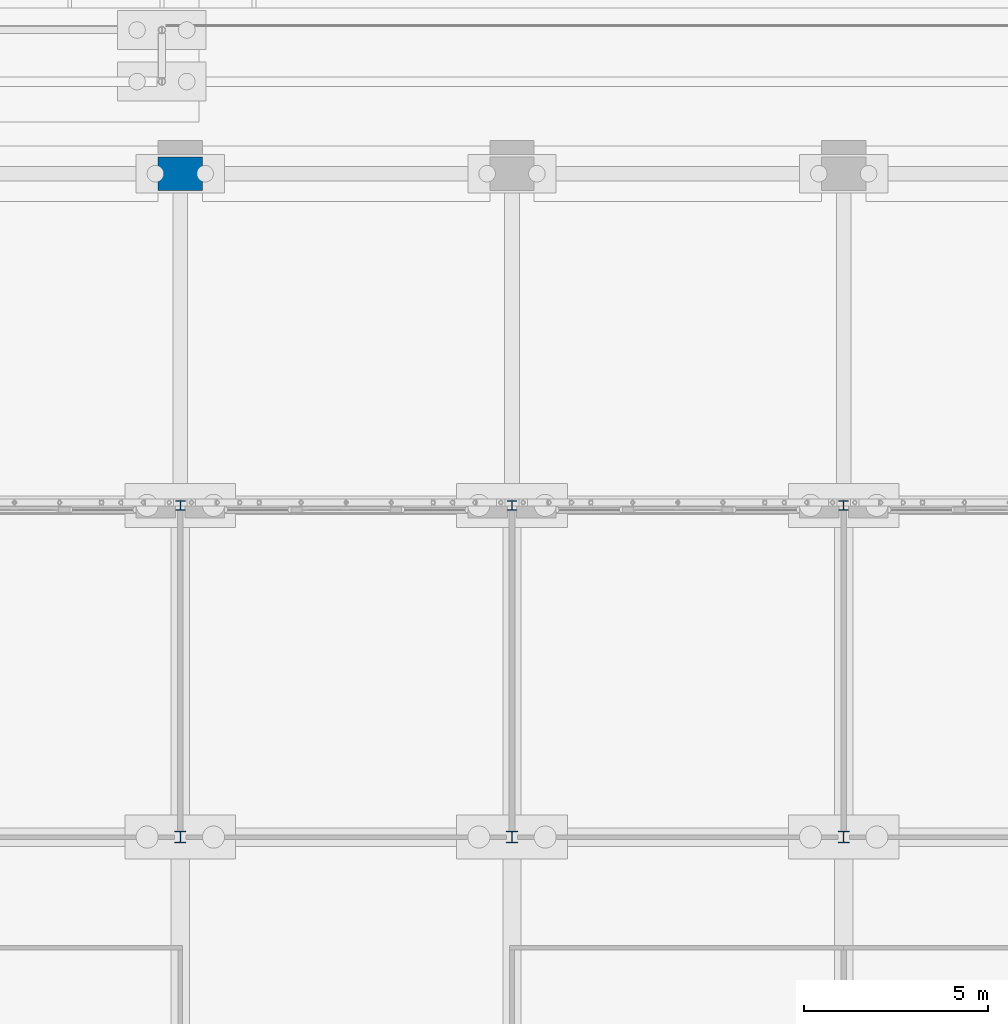
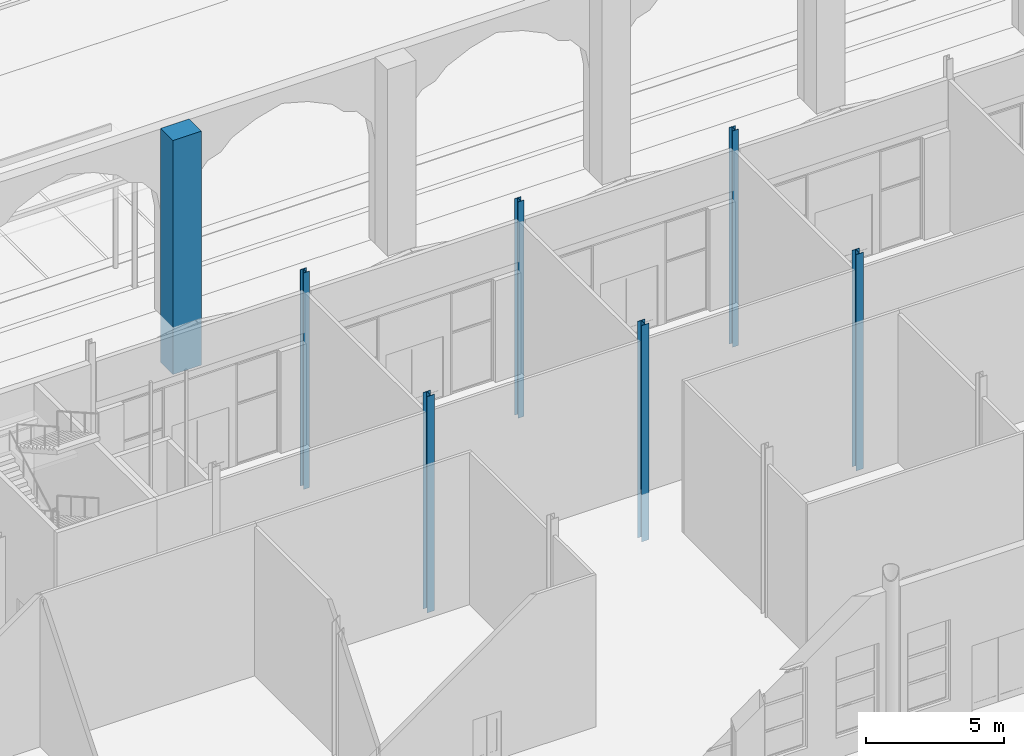
# One storey, part 31 of 250: 7 columns.
"""IFC4 building model written with IfcOpenShell, lengths in metres."""

from ifc_helpers import new_model, si_unit, direction, frame, origin, origin_2d, place, context, subcontext, project, spatial, rectangle, i_section, extrude, material, material_profile, profile_set, type_object, element, save


model = new_model("IFC4")

# Units and contexts
model_context = context("Model", 3, precision=1e-05, world=origin(), true_north=direction((0.0, 1.0)))
body_context = subcontext(model_context, "Body", "Model", "MODEL_VIEW")
ifc_project = project(units=[si_unit("LENGTHUNIT", "METRE"), si_unit("AREAUNIT", "SQUARE_METRE"), si_unit("VOLUMEUNIT", "CUBIC_METRE"), si_unit("PLANEANGLEUNIT", "RADIAN"), si_unit("MASSUNIT", "GRAM", prefix="KILO")], contexts=[model_context])

# Site, building, storey
site_placement = place(None, origin())
site = spatial("IfcSite", under=ifc_project, at=site_placement, CompositionType="ELEMENT")
building_placement = place(site_placement, origin())
building = spatial("IfcBuilding", under=site, at=building_placement, Name="Baradari Gate Terminus", CompositionType="ELEMENT")
storey_placement = place(building_placement, origin())
storey = spatial("IfcBuildingStorey", under=building, at=storey_placement, Name="L00", CompositionType="ELEMENT", Elevation=0.0)

# Columns
ifc_material_1 = material(Name="Concrete C40/50", Category="concrete")
ifc_material_profile_1 = material_profile(ifc_material_1, rectangle(XDim=1.199951171875, YDim=0.89990234375, at=origin_2d()), Name="RC1200X900")
ifc_profile_set_1 = profile_set([ifc_material_profile_1], Name="Concrete C40/50")
column_type_1 = type_object("IfcColumnType", Name="Arcade pier AP01 RC1200X900", PredefinedType="COLUMN", material=ifc_profile_set_1)
column_placement = place(storey_placement, frame((198.0, 117.0, -2.10009765625), z_axis=(0.0, 0.0, 1.0), x_axis=(1.0, 0.0, 0.0)))
element("IfcColumn", 1, at=column_placement, inside=storey, type_object=column_type_1, Name="AP01 column 23-P L00", PredefinedType="COLUMN", context=body_context, shape_type="SweptSolid", body=[
    extrude(rectangle(XDim=1.199951171875, YDim=0.89990234375, at=origin_2d()), origin(), (0.0, 0.0, 1.0), 10.380126953125),
])
ifc_material_2 = material(Name="Steel S355", Category="steel")
ifc_material_profile_2 = material_profile(ifc_material_2, i_section(OverallWidth=0.307373046875, OverallDepth=0.314453125, WebThickness=0.011962890625, FlangeThickness=0.018798828125, FilletRadius=0.01513671875, at=origin_2d()), Name="UC 305x305x118")
ifc_profile_set_2 = profile_set([ifc_material_profile_2], Name="Steel S355")
column_type_2 = type_object("IfcColumnType", Name="Head-house column C07 UC 305x305x118", PredefinedType="COLUMN", material=ifc_profile_set_2)
for number, where, z_axis, x_axis, name in (
    (2, (198.0, 99.0, -2.10009765625), (0.0, 0.0, 1.0), (1.0, 0.0, 0.0), "C07 column 23-M L00"),
    (3, (207.0, 99.0, -2.10009765625), (0.0, 0.0, 1.0), (1.0, 0.0, 0.0), "C07 column 24-M L00"),
    (4, (216.0, 99.0, -2.10009765625), (0.0, 0.0, 1.0), (1.0, 0.0, 0.0), "C07 column 25-M L00"),
):
    element("IfcColumn", number, at=place(storey_placement, frame(where, z_axis=z_axis, x_axis=x_axis)), inside=storey, type_object=column_type_2, Name=name, PredefinedType="COLUMN", context=body_context, shape_type="SweptSolid", body=[
        extrude(i_section(OverallWidth=0.307373046875, OverallDepth=0.314453125, WebThickness=0.011962890625, FlangeThickness=0.018798828125, FilletRadius=0.01513671875, at=origin_2d()), origin(), (0.0, 0.0, 1.0), 9.60009765625),
    ])
ifc_material_3 = material(Name="Steel S355", Category="steel")
ifc_material_profile_3 = material_profile(ifc_material_3, i_section(OverallWidth=0.25634765625, OverallDepth=0.26025390625, WebThickness=0.01025390625, FlangeThickness=0.017333984375, FilletRadius=0.0126953125, at=origin_2d()), Name="UC 254x254x89")
ifc_profile_set_3 = profile_set([ifc_material_profile_3], Name="Steel S355")
column_type_3 = type_object("IfcColumnType", Name="Head-house facade column C08 UC 254x254x89", PredefinedType="COLUMN", material=ifc_profile_set_3)
for number, where, z_axis, x_axis, name in (
    (5, (198.0, 108.0, -2.10009765625), (0.0, 0.0, 1.0), (1.0, 0.0, 0.0), "C08 column 23-N L00"),
    (6, (207.0, 108.0, -2.10009765625), (0.0, 0.0, 1.0), (1.0, 0.0, 0.0), "C08 column 24-N L00"),
    (7, (216.0, 108.0, -2.10009765625), (0.0, 0.0, 1.0), (1.0, 0.0, 0.0), "C08 column 25-N L00"),
):
    element("IfcColumn", number, at=place(storey_placement, frame(where, z_axis=z_axis, x_axis=x_axis)), inside=storey, type_object=column_type_3, Name=name, PredefinedType="COLUMN", context=body_context, shape_type="SweptSolid", body=[
        extrude(i_section(OverallWidth=0.25634765625, OverallDepth=0.26025390625, WebThickness=0.01025390625, FlangeThickness=0.017333984375, FilletRadius=0.0126953125, at=origin_2d()), origin(), (0.0, 0.0, 1.0), 9.60009765625),
    ])

save(model, "model.ifc")
